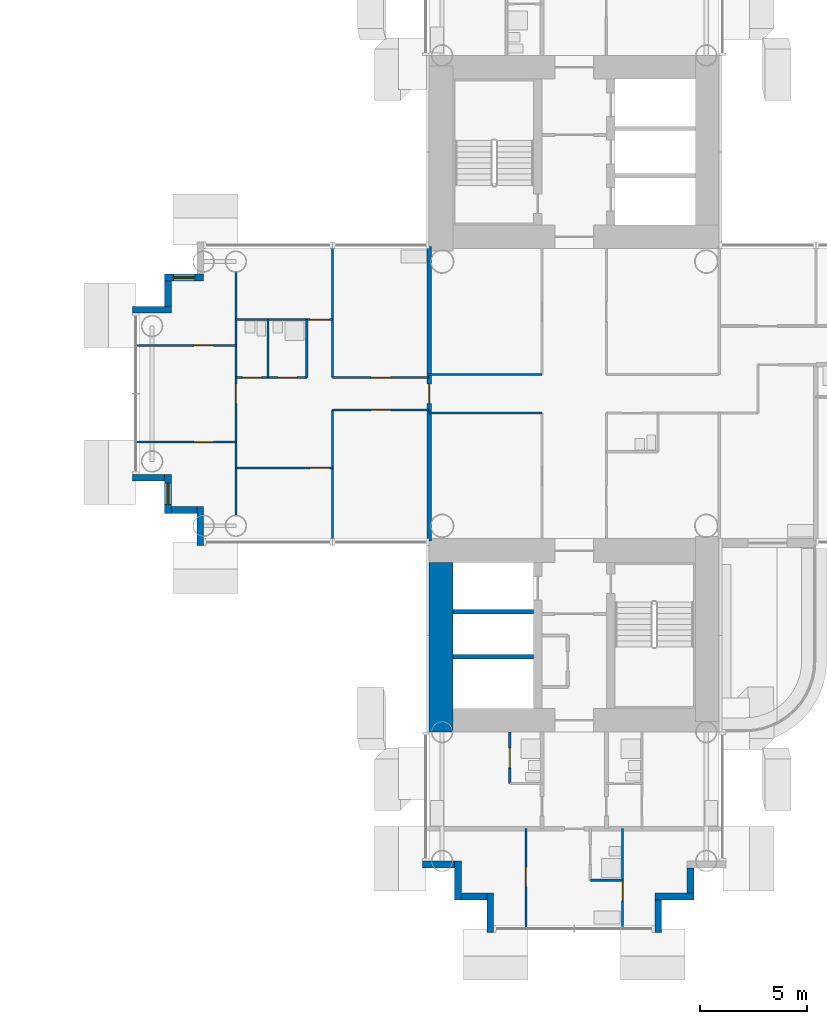
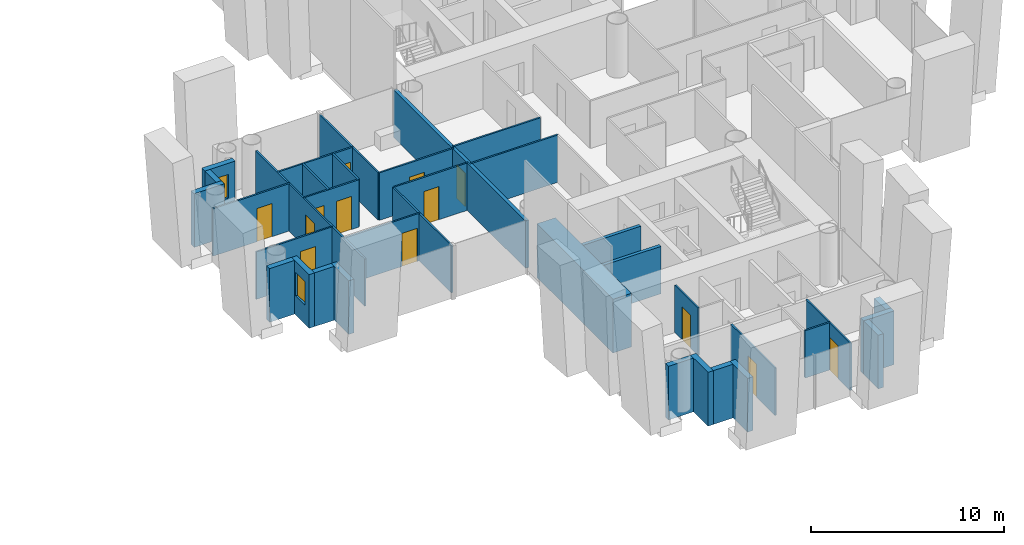
# One storey, part 14 of 25: 36 walls, 13 doors, 2 windows, 15 openings.
"""IFC4 building model written with IfcOpenShell, lengths in metres."""

from ifc_helpers import new_model, si_unit, direction, frame, frame_2d, origin, place, context, subcontext, project, spatial, rectangle, extrude, material, layer, layer_set, type_object, element, fill, save


model = new_model("IFC4")

# Units and contexts
model_context = context("Model", 3, precision=1e-05, world=origin(), true_north=direction((0.0, 1.0)))
body_context = subcontext(model_context, "Body", "Model", "MODEL_VIEW")
ifc_project = project(units=[si_unit("LENGTHUNIT", "METRE"), si_unit("AREAUNIT", "SQUARE_METRE"), si_unit("VOLUMEUNIT", "CUBIC_METRE"), si_unit("PLANEANGLEUNIT", "RADIAN"), si_unit("MASSUNIT", "GRAM", prefix="KILO")], contexts=[model_context])

# Site, building, storey
site_placement = place(None, origin())
site = spatial("IfcSite", under=ifc_project, at=site_placement, CompositionType="ELEMENT")
building_placement = place(site_placement, origin())
building = spatial("IfcBuilding", under=site, at=building_placement, Name="Ipe Terrace Towers", CompositionType="ELEMENT")
storey_placement = place(building_placement, frame((0.0, 0.0, 58.5)))
storey = spatial("IfcBuildingStorey", under=building, at=storey_placement, Name="L15", CompositionType="ELEMENT", Elevation=58.5)

# Walls
ifc_material_1 = material(Name="Concrete C40/50 with buff precast cladding", Category="concrete")
ifc_layer_1 = layer(ifc_material_1, 0.320068359375)
ifc_layer_set_1 = layer_set([ifc_layer_1], Name="BUFF CLADDING WALL 320")
wall_type_1 = type_object("IfcWallType", Name="BUFF CLADDING WALL 320", PredefinedType="STANDARD", material=ifc_layer_set_1)
wall_1_placement = place(storey_placement, frame((39.909912109375, -25.070068359375, -0.300048828125), z_axis=(0.0, 0.0, 1.0), x_axis=(0.0, 1.0, 0.0)))
element("IfcWall", 1, at=wall_1_placement, inside=storey, type_object=wall_type_1, Name="T2-W-L15-00a wall", PredefinedType="STANDARD", context=body_context, shape_type="SweptSolid", body=[
    extrude(rectangle(XDim=1.5, YDim=0.320068359375, at=frame_2d((0.75, 0.0))), origin(), (0.0, 0.0, 1.0), 3.400146484375),
])
wall_2_placement = place(storey_placement, frame((39.75, -23.409912109375, -0.300048828125), z_axis=(0.0, 0.0, 1.0), x_axis=(1.0, 0.0, 0.0)))
element("IfcWall", 2, at=wall_2_placement, inside=storey, type_object=wall_type_1, Name="T2-W-L15-01a wall", PredefinedType="STANDARD", context=body_context, shape_type="SweptSolid", body=[
    extrude(rectangle(XDim=1.820068359375, YDim=0.320068359375, at=frame_2d((0.91015625, 0.0))), origin(), (0.0, 0.0, 1.0), 3.400146484375),
])
wall_3_placement = place(storey_placement, frame((41.409912109375, -23.25, -0.300048828125), z_axis=(0.0, 0.0, 1.0), x_axis=(0.0, 1.0, 0.0)))
element("IfcWall", 3, at=wall_3_placement, inside=storey, type_object=wall_type_1, Name="T2-W-L15-02a wall", PredefinedType="STANDARD", context=body_context, shape_type="SweptSolid", body=[
    extrude(rectangle(XDim=1.179931640625, YDim=0.320068359375, at=frame_2d((0.58984375, 0.0))), origin(), (0.0, 0.0, 1.0), 3.400146484375),
])

# Wall, opening, window
wall_4_placement = place(storey_placement, frame((18.75, 5.409912109375, -0.300048828125), z_axis=(0.0, 0.0, 1.0), x_axis=(-1.0, 0.0, 0.0)))
wall_4 = element("IfcWall", 4, at=wall_4_placement, inside=storey, type_object=wall_type_1, Name="T2-W-L15-35a wall", PredefinedType="STANDARD", context=body_context, shape_type="SweptSolid", body=[
    extrude(rectangle(XDim=1.820068359375, YDim=0.320068359375, at=frame_2d((0.91015625, 0.0))), origin(), (0.0, 0.0, 1.0), 3.400146484375),
])
opening_1_placement = place(wall_4_placement, frame((0.409912109375, 0.0, 1.199951171875)))
opening_1 = element("IfcOpeningElement", 5, at=opening_1_placement, cuts=wall_4, Name="Opening T2-W-05-L15-02", PredefinedType="OPENING", context=body_context, shape_type="SweptSolid", body=[
    extrude(rectangle(XDim=1.0, YDim=1.5, at=frame_2d((0.5, 0.75))), frame((0.0, 0.169921875, 0.0), z_axis=(0.0, -1.0, 0.0), x_axis=(1.0, 0.0, 0.0)), (0.0, 0.0, 1.0), 0.340087890625),
])
ifc_material_2 = material(Name="Glass, clear laminated", Category="glass")
window_type = type_object("IfcWindowType", Name="DWELLING WINDOW 1000 x 1500", PartitioningType="SINGLE_PANEL", PredefinedType="WINDOW", material=ifc_material_2)
window_1_placement = place(opening_1_placement, origin())
window_1 = element("IfcWindow", 6, at=window_1_placement, inside=storey, type_object=window_type, Name="W-05 window", OverallHeight=1.5, OverallWidth=1.0, PartitioningType="SINGLE_PANEL", PredefinedType="WINDOW", context=body_context, shape_type="SweptSolid", body=[
    extrude(rectangle(XDim=1.0, YDim=1.5, at=frame_2d((0.5, 0.75))), frame((0.0, 0.030029296875, 0.0), z_axis=(0.0, -1.0, 0.0), x_axis=(1.0, 0.0, 0.0)), (0.0, 0.0, 1.0), 0.06005859375),
])
fill(opening_1, window_1)

# Walls
wall_5_placement = place(storey_placement, frame((17.090087890625, 5.25, -0.300048828125), z_axis=(0.0, 0.0, 1.0), x_axis=(0.0, -1.0, 0.0)))
element("IfcWall", 7, at=wall_5_placement, inside=storey, type_object=wall_type_1, Name="T2-W-L15-36a wall", PredefinedType="STANDARD", context=body_context, shape_type="SweptSolid", body=[
    extrude(rectangle(XDim=1.179931640625, YDim=0.320068359375, at=frame_2d((0.58984375, 0.0))), origin(), (0.0, 0.0, 1.0), 3.400146484375),
])
wall_6_placement = place(storey_placement, frame((17.25, 3.909912109375, -0.300048828125), z_axis=(0.0, 0.0, 1.0), x_axis=(-1.0, 0.0, 0.0)))
element("IfcWall", 8, at=wall_6_placement, inside=storey, type_object=wall_type_1, Name="T2-W-L15-37a wall", PredefinedType="STANDARD", context=body_context, shape_type="SweptSolid", body=[
    extrude(rectangle(XDim=1.820068359375, YDim=0.320068359375, at=frame_2d((0.91015625, 0.0))), origin(), (0.0, 0.0, 1.0), 3.400146484375),
])
wall_7_placement = place(storey_placement, frame((15.429931640625, -3.909912109375, -0.300048828125), z_axis=(0.0, 0.0, 1.0), x_axis=(1.0, 0.0, 0.0)))
element("IfcWall", 9, at=wall_7_placement, inside=storey, type_object=wall_type_1, Name="T2-W-L15-39a wall", PredefinedType="STANDARD", context=body_context, shape_type="SweptSolid", body=[
    extrude(rectangle(XDim=1.5, YDim=0.320068359375, at=frame_2d((0.75, 0.0))), origin(), (0.0, 0.0, 1.0), 3.400146484375),
])

# Wall, opening, window
wall_8_placement = place(storey_placement, frame((17.090087890625, -3.75, -0.300048828125), z_axis=(0.0, 0.0, 1.0), x_axis=(0.0, -1.0, 0.0)))
wall_8 = element("IfcWall", 10, at=wall_8_placement, inside=storey, type_object=wall_type_1, Name="T2-W-L15-40a wall", PredefinedType="STANDARD", context=body_context, shape_type="SweptSolid", body=[
    extrude(rectangle(XDim=1.820068359375, YDim=0.320068359375, at=frame_2d((0.91015625, 0.0))), origin(), (0.0, 0.0, 1.0), 3.400146484375),
])
opening_2_placement = place(wall_8_placement, frame((0.409912109375, 0.0, 1.199951171875)))
opening_2 = element("IfcOpeningElement", 11, at=opening_2_placement, cuts=wall_8, Name="Opening T2-W-05-L15-01", PredefinedType="OPENING", context=body_context, shape_type="SweptSolid", body=[
    extrude(rectangle(XDim=1.0, YDim=1.5, at=frame_2d((0.5, 0.75))), frame((0.0, 0.169921875, 0.0), z_axis=(0.0, -1.0, 0.0), x_axis=(1.0, 0.0, 0.0)), (0.0, 0.0, 1.0), 0.340087890625),
])
window_2_placement = place(opening_2_placement, origin())
window_2 = element("IfcWindow", 12, at=window_2_placement, inside=storey, type_object=window_type, Name="W-05 window", OverallHeight=1.5, OverallWidth=1.0, PartitioningType="SINGLE_PANEL", PredefinedType="WINDOW", context=body_context, shape_type="SweptSolid", body=[
    extrude(rectangle(XDim=1.0, YDim=1.5, at=frame_2d((0.5, 0.75))), frame((0.0, 0.030029296875, 0.0), z_axis=(0.0, -1.0, 0.0), x_axis=(1.0, 0.0, 0.0)), (0.0, 0.0, 1.0), 0.06005859375),
])
fill(opening_2, window_2)

# Walls
wall_9_placement = place(storey_placement, frame((17.25, -5.409912109375, -0.300048828125), z_axis=(0.0, 0.0, 1.0), x_axis=(1.0, 0.0, 0.0)))
element("IfcWall", 13, at=wall_9_placement, inside=storey, type_object=wall_type_1, Name="T2-W-L15-41a wall", PredefinedType="STANDARD", context=body_context, shape_type="SweptSolid", body=[
    extrude(rectangle(XDim=1.179931640625, YDim=0.320068359375, at=frame_2d((0.58984375, 0.0))), origin(), (0.0, 0.0, 1.0), 3.400146484375),
])
wall_10_placement = place(storey_placement, frame((18.590087890625, -5.25, -0.300048828125), z_axis=(0.0, 0.0, 1.0), x_axis=(0.0, -1.0, 0.0)))
element("IfcWall", 14, at=wall_10_placement, inside=storey, type_object=wall_type_1, Name="T2-W-L15-42a wall", PredefinedType="STANDARD", context=body_context, shape_type="SweptSolid", body=[
    extrude(rectangle(XDim=1.820068359375, YDim=0.320068359375, at=frame_2d((0.91015625, 0.0))), origin(), (0.0, 0.0, 1.0), 3.400146484375),
])
wall_11_placement = place(storey_placement, frame((28.929931640625, -21.909912109375, -0.300048828125), z_axis=(0.0, 0.0, 1.0), x_axis=(1.0, 0.0, 0.0)))
element("IfcWall", 15, at=wall_11_placement, inside=storey, type_object=wall_type_1, Name="T2-W-L15-47a wall", PredefinedType="STANDARD", context=body_context, shape_type="SweptSolid", body=[
    extrude(rectangle(XDim=1.5, YDim=0.320068359375, at=frame_2d((0.75, 0.0))), origin(), (0.0, 0.0, 1.0), 3.400146484375),
])
wall_12_placement = place(storey_placement, frame((30.590087890625, -21.75, -0.300048828125), z_axis=(0.0, 0.0, 1.0), x_axis=(0.0, -1.0, 0.0)))
element("IfcWall", 16, at=wall_12_placement, inside=storey, type_object=wall_type_1, Name="T2-W-L15-48a wall", PredefinedType="STANDARD", context=body_context, shape_type="SweptSolid", body=[
    extrude(rectangle(XDim=1.820068359375, YDim=0.320068359375, at=frame_2d((0.91015625, 0.0))), origin(), (0.0, 0.0, 1.0), 3.400146484375),
])
wall_13_placement = place(storey_placement, frame((30.75, -23.409912109375, -0.300048828125), z_axis=(0.0, 0.0, 1.0), x_axis=(1.0, 0.0, 0.0)))
element("IfcWall", 17, at=wall_13_placement, inside=storey, type_object=wall_type_1, Name="T2-W-L15-49a wall", PredefinedType="STANDARD", context=body_context, shape_type="SweptSolid", body=[
    extrude(rectangle(XDim=1.179931640625, YDim=0.320068359375, at=frame_2d((0.58984375, 0.0))), origin(), (0.0, 0.0, 1.0), 3.400146484375),
])
wall_14_placement = place(storey_placement, frame((32.090087890625, -23.25, -0.300048828125), z_axis=(0.0, 0.0, 1.0), x_axis=(0.0, -1.0, 0.0)))
element("IfcWall", 18, at=wall_14_placement, inside=storey, type_object=wall_type_1, Name="T2-W-L15-50a wall", PredefinedType="STANDARD", context=body_context, shape_type="SweptSolid", body=[
    extrude(rectangle(XDim=1.820068359375, YDim=0.320068359375, at=frame_2d((0.91015625, 0.0))), origin(), (0.0, 0.0, 1.0), 3.400146484375),
])
ifc_material_3 = material(Name="Gypsum board partition", Category="plasterboard")
ifc_layer_2 = layer(ifc_material_3, 0.10009765625)
ifc_layer_set_2 = layer_set([ifc_layer_2], Name="Gypsum board partition 100 mm")
wall_type_2 = type_object("IfcWallType", Name="Gypsum board partition 100 mm", PredefinedType="PARTITIONING", material=ifc_layer_set_2)
wall_15_placement = place(storey_placement, frame((38.25, -22.64990234375, 0.0), z_axis=(0.0, 0.0, 1.0), x_axis=(-1.0, 0.0, 0.0)))
element("IfcWall", 19, at=wall_15_placement, inside=storey, type_object=wall_type_2, Name="Gypsum board partition T2 L15 W01", PredefinedType="PARTITIONING", context=body_context, shape_type="SweptSolid", body=[
    extrude(rectangle(XDim=1.5, YDim=0.10009765625, at=frame_2d((0.75, 0.0))), origin(), (0.0, 0.0, 1.0), 3.0),
])

# Wall, opening, door
wall_16_placement = place(storey_placement, frame((24.75, -3.449951171875, 0.0), z_axis=(0.0, 0.0, 1.0), x_axis=(-1.0, 0.0, 0.0)))
wall_16 = element("IfcWall", 20, at=wall_16_placement, inside=storey, type_object=wall_type_2, Name="Gypsum board partition T2 L15 W05", PredefinedType="PARTITIONING", context=body_context, shape_type="SweptSolid", body=[
    extrude(rectangle(XDim=4.5, YDim=0.10009765625, at=frame_2d((2.25, 0.0))), origin(), (0.0, 0.0, 1.0), 3.0),
])
opening_3_placement = place(wall_16_placement, frame((0.14990234375, 0.0, 0.0)))
opening_3 = element("IfcOpeningElement", 21, at=opening_3_placement, cuts=wall_16, Name="Opening T2-Z1D-11", PredefinedType="OPENING", context=body_context, shape_type="SweptSolid", body=[
    extrude(rectangle(XDim=0.89990234375, YDim=2.10009765625, at=frame_2d((0.449951171875, 1.050048828125))), frame((0.0, 0.06005859375, 0.0), z_axis=(0.0, -1.0, 0.0), x_axis=(1.0, 0.0, 0.0)), (0.0, 0.0, 1.0), 0.1201171875),
])
ifc_material_4 = material(Name="Timber door leaf", Category="wood")
door_type_1 = type_object("IfcDoorType", Name="Bedroom door 900 x 2100", OperationType="NOTDEFINED", PredefinedType="DOOR", material=ifc_material_4)
door_1_placement = place(opening_3_placement, origin())
door_1 = element("IfcDoor", 22, at=door_1_placement, inside=storey, type_object=door_type_1, Name="Bedroom door T2-Z1D-11", OperationType="SINGLE_SWING_RIGHT", OverallHeight=2.10009765625, OverallWidth=0.89990234375, PredefinedType="DOOR", context=body_context, shape_type="SweptSolid", body=[
    extrude(rectangle(XDim=0.89990234375, YDim=2.10009765625, at=frame_2d((0.449951171875, 1.050048828125))), frame((0.0, 0.02490234375, 0.0), z_axis=(0.0, -1.0, 0.0), x_axis=(1.0, 0.0, 0.0)), (0.0, 0.0, 1.0), 0.050048828125),
])
fill(opening_3, door_1)

wall_17_placement = place(storey_placement, frame((20.25, -2.25, 0.0), z_axis=(0.0, 0.0, 1.0), x_axis=(-1.0, 0.0, 0.0)))
wall_17 = element("IfcWall", 23, at=wall_17_placement, inside=storey, type_object=wall_type_2, Name="Gypsum board partition T2 L15 W07", PredefinedType="PARTITIONING", context=body_context, shape_type="SweptSolid", body=[
    extrude(rectangle(XDim=4.60009765625, YDim=0.10009765625, at=frame_2d((2.300048828125, 0.0))), origin(), (0.0, 0.0, 1.0), 3.0),
])
opening_4_placement = place(wall_17_placement, frame((1.050048828125, 0.0, 0.0)))
opening_4 = element("IfcOpeningElement", 24, at=opening_4_placement, cuts=wall_17, Name="Opening T2-Z1D-14", PredefinedType="OPENING", context=body_context, shape_type="SweptSolid", body=[
    extrude(rectangle(XDim=0.89990234375, YDim=2.10009765625, at=frame_2d((0.449951171875, 1.050048828125))), frame((0.0, 0.06005859375, 0.0), z_axis=(0.0, -1.0, 0.0), x_axis=(1.0, 0.0, 0.0)), (0.0, 0.0, 1.0), 0.1201171875),
])
door_2_placement = place(opening_4_placement, origin())
door_2 = element("IfcDoor", 25, at=door_2_placement, inside=storey, type_object=door_type_1, Name="Bedroom door T2-Z1D-14", OperationType="SINGLE_SWING_RIGHT", OverallHeight=2.10009765625, OverallWidth=0.89990234375, PredefinedType="DOOR", context=body_context, shape_type="SweptSolid", body=[
    extrude(rectangle(XDim=0.89990234375, YDim=2.10009765625, at=frame_2d((0.449951171875, 1.050048828125))), frame((0.0, 0.02490234375, 0.0), z_axis=(0.0, -1.0, 0.0), x_axis=(1.0, 0.0, 0.0)), (0.0, 0.0, 1.0), 0.050048828125),
])
fill(opening_4, door_2)

# Wall
wall_18_placement = place(storey_placement, frame((34.5, -0.89990234375, 0.0), z_axis=(0.0, 0.0, 1.0), x_axis=(-1.0, 0.0, 0.0)))
element("IfcWall", 26, at=wall_18_placement, inside=storey, type_object=wall_type_2, Name="Gypsum board partition T2 L15 W09", PredefinedType="PARTITIONING", context=body_context, shape_type="SweptSolid", body=[
    extrude(rectangle(XDim=5.25, YDim=0.10009765625, at=frame_2d((2.625, 0.0))), origin(), (0.0, 0.0, 1.0), 3.0),
])

# Wall, opening, door
wall_19_placement = place(storey_placement, frame((29.25, -0.75, 0.0), z_axis=(0.0, 0.0, 1.0), x_axis=(-1.0, 0.0, 0.0)))
wall_19 = element("IfcWall", 27, at=wall_19_placement, inside=storey, type_object=wall_type_2, Name="Gypsum board partition T2 L15 W10", PredefinedType="PARTITIONING", context=body_context, shape_type="SweptSolid", body=[
    extrude(rectangle(XDim=4.5, YDim=0.10009765625, at=frame_2d((2.25, 0.0))), origin(), (0.0, 0.0, 1.0), 3.0),
])
opening_5_placement = place(wall_19_placement, frame((1.800048828125, 0.0, 0.0)))
opening_5 = element("IfcOpeningElement", 28, at=opening_5_placement, cuts=wall_19, Name="Opening T2-Z1D-06", PredefinedType="OPENING", context=body_context, shape_type="SweptSolid", body=[
    extrude(rectangle(XDim=0.89990234375, YDim=2.10009765625, at=frame_2d((0.449951171875, 1.050048828125))), frame((0.0, 0.06005859375, 0.0), z_axis=(0.0, -1.0, 0.0), x_axis=(1.0, 0.0, 0.0)), (0.0, 0.0, 1.0), 0.1201171875),
])
ifc_material_5 = material(Name="Timber door leaf", Category="wood")
door_type_2 = type_object("IfcDoorType", Name="Lounge door 900 x 2100", OperationType="NOTDEFINED", PredefinedType="DOOR", material=ifc_material_5)
door_3_placement = place(opening_5_placement, origin())
door_3 = element("IfcDoor", 29, at=door_3_placement, inside=storey, type_object=door_type_2, Name="Lounge door T2-Z1D-06", OperationType="SINGLE_SWING_LEFT", OverallHeight=2.10009765625, OverallWidth=0.89990234375, PredefinedType="DOOR", context=body_context, shape_type="SweptSolid", body=[
    extrude(rectangle(XDim=0.89990234375, YDim=2.10009765625, at=frame_2d((0.449951171875, 1.050048828125))), frame((0.0, 0.02490234375, 0.0), z_axis=(0.0, -1.0, 0.0), x_axis=(1.0, 0.0, 0.0)), (0.0, 0.0, 1.0), 0.050048828125),
])
fill(opening_5, door_3)

wall_20_placement = place(storey_placement, frame((29.25, 0.75, 0.0), z_axis=(0.0, 0.0, 1.0), x_axis=(-1.0, 0.0, 0.0)))
wall_20 = element("IfcWall", 30, at=wall_20_placement, inside=storey, type_object=wall_type_2, Name="Gypsum board partition T2 L15 W12", PredefinedType="PARTITIONING", context=body_context, shape_type="SweptSolid", body=[
    extrude(rectangle(XDim=4.5, YDim=0.10009765625, at=frame_2d((2.25, 0.0))), origin(), (0.0, 0.0, 1.0), 3.0),
])
opening_6_placement = place(wall_20_placement, frame((1.800048828125, 0.0, 0.0)))
opening_6 = element("IfcOpeningElement", 31, at=opening_6_placement, cuts=wall_20, Name="Opening T2-Z1D-07", PredefinedType="OPENING", context=body_context, shape_type="SweptSolid", body=[
    extrude(rectangle(XDim=0.89990234375, YDim=2.10009765625, at=frame_2d((0.449951171875, 1.050048828125))), frame((0.0, 0.06005859375, 0.0), z_axis=(0.0, -1.0, 0.0), x_axis=(1.0, 0.0, 0.0)), (0.0, 0.0, 1.0), 0.1201171875),
])
door_4_placement = place(opening_6_placement, origin())
door_4 = element("IfcDoor", 32, at=door_4_placement, inside=storey, type_object=door_type_2, Name="Lounge door T2-Z1D-07", OperationType="SINGLE_SWING_RIGHT", OverallHeight=2.10009765625, OverallWidth=0.89990234375, PredefinedType="DOOR", context=body_context, shape_type="SweptSolid", body=[
    extrude(rectangle(XDim=0.89990234375, YDim=2.10009765625, at=frame_2d((0.449951171875, 1.050048828125))), frame((0.0, 0.02490234375, 0.0), z_axis=(0.0, -1.0, 0.0), x_axis=(1.0, 0.0, 0.0)), (0.0, 0.0, 1.0), 0.050048828125),
])
fill(opening_6, door_4)

# Wall, openings, doors
wall_21_placement = place(storey_placement, frame((23.550048828125, 0.75, 0.0), z_axis=(0.0, 0.0, 1.0), x_axis=(-1.0, 0.0, 0.0)))
wall_21 = element("IfcWall", 33, at=wall_21_placement, inside=storey, type_object=wall_type_2, Name="Gypsum board partition T2 L15 W13", PredefinedType="PARTITIONING", context=body_context, shape_type="SweptSolid", body=[
    extrude(rectangle(XDim=3.300048828125, YDim=0.10009765625, at=frame_2d((1.64990234375, 0.0))), origin(), (0.0, 0.0, 1.0), 3.0),
])
opening_7_placement = place(wall_21_placement, frame((0.449951171875, 0.0, 0.0)))
opening_7 = element("IfcOpeningElement", 34, at=opening_7_placement, cuts=wall_21, Name="Opening T2-Z1D-09", PredefinedType="OPENING", context=body_context, shape_type="SweptSolid", body=[
    extrude(rectangle(XDim=0.89990234375, YDim=2.10009765625, at=frame_2d((0.449951171875, 1.050048828125))), frame((0.0, 0.06005859375, 0.0), z_axis=(0.0, -1.0, 0.0), x_axis=(1.0, 0.0, 0.0)), (0.0, 0.0, 1.0), 0.1201171875),
])
opening_8_placement = place(wall_21_placement, frame((2.10009765625, 0.0, 0.0)))
opening_8 = element("IfcOpeningElement", 35, at=opening_8_placement, cuts=wall_21, Name="Opening T2-Z1D-10", PredefinedType="OPENING", context=body_context, shape_type="SweptSolid", body=[
    extrude(rectangle(XDim=0.89990234375, YDim=2.10009765625, at=frame_2d((0.449951171875, 1.050048828125))), frame((0.0, 0.06005859375, 0.0), z_axis=(0.0, -1.0, 0.0), x_axis=(1.0, 0.0, 0.0)), (0.0, 0.0, 1.0), 0.1201171875),
])
ifc_material_6 = material(Name="Timber door leaf", Category="wood")
door_type_3 = type_object("IfcDoorType", Name="Bathroom door 900 x 2100", OperationType="NOTDEFINED", PredefinedType="DOOR", material=ifc_material_6)
door_5_placement = place(opening_7_placement, origin())
door_5 = element("IfcDoor", 36, at=door_5_placement, inside=storey, type_object=door_type_3, Name="Bathroom door T2-Z1D-09", OperationType="SINGLE_SWING_LEFT", OverallHeight=2.10009765625, OverallWidth=0.89990234375, PredefinedType="DOOR", context=body_context, shape_type="SweptSolid", body=[
    extrude(rectangle(XDim=0.89990234375, YDim=2.10009765625, at=frame_2d((0.449951171875, 1.050048828125))), frame((0.0, 0.02490234375, 0.0), z_axis=(0.0, -1.0, 0.0), x_axis=(1.0, 0.0, 0.0)), (0.0, 0.0, 1.0), 0.050048828125),
])
fill(opening_7, door_5)
door_6_placement = place(opening_8_placement, origin())
door_6 = element("IfcDoor", 37, at=door_6_placement, inside=storey, type_object=door_type_3, Name="Bathroom door T2-Z1D-10", OperationType="SINGLE_SWING_RIGHT", OverallHeight=2.10009765625, OverallWidth=0.89990234375, PredefinedType="DOOR", context=body_context, shape_type="SweptSolid", body=[
    extrude(rectangle(XDim=0.89990234375, YDim=2.10009765625, at=frame_2d((0.449951171875, 1.050048828125))), frame((0.0, 0.02490234375, 0.0), z_axis=(0.0, -1.0, 0.0), x_axis=(1.0, 0.0, 0.0)), (0.0, 0.0, 1.0), 0.050048828125),
])
fill(opening_8, door_6)

# Wall
wall_22_placement = place(storey_placement, frame((34.5, 0.89990234375, 0.0), z_axis=(0.0, 0.0, 1.0), x_axis=(-1.0, 0.0, 0.0)))
element("IfcWall", 38, at=wall_22_placement, inside=storey, type_object=wall_type_2, Name="Gypsum board partition T2 L15 W15", PredefinedType="PARTITIONING", context=body_context, shape_type="SweptSolid", body=[
    extrude(rectangle(XDim=5.25, YDim=0.10009765625, at=frame_2d((2.625, 0.0))), origin(), (0.0, 0.0, 1.0), 3.0),
])

# Wall, opening, door
wall_23_placement = place(storey_placement, frame((20.25, 2.25, 0.0), z_axis=(0.0, 0.0, 1.0), x_axis=(-1.0, 0.0, 0.0)))
wall_23 = element("IfcWall", 39, at=wall_23_placement, inside=storey, type_object=wall_type_2, Name="Gypsum board partition T2 L15 W18", PredefinedType="PARTITIONING", context=body_context, shape_type="SweptSolid", body=[
    extrude(rectangle(XDim=4.60009765625, YDim=0.10009765625, at=frame_2d((2.300048828125, 0.0))), origin(), (0.0, 0.0, 1.0), 3.0),
])
opening_9_placement = place(wall_23_placement, frame((1.050048828125, 0.0, 0.0)))
opening_9 = element("IfcOpeningElement", 40, at=opening_9_placement, cuts=wall_23, Name="Opening T2-Z1D-15", PredefinedType="OPENING", context=body_context, shape_type="SweptSolid", body=[
    extrude(rectangle(XDim=0.89990234375, YDim=2.10009765625, at=frame_2d((0.449951171875, 1.050048828125))), frame((0.0, 0.06005859375, 0.0), z_axis=(0.0, -1.0, 0.0), x_axis=(1.0, 0.0, 0.0)), (0.0, 0.0, 1.0), 0.1201171875),
])
door_7_placement = place(opening_9_placement, origin())
door_7 = element("IfcDoor", 41, at=door_7_placement, inside=storey, type_object=door_type_1, Name="Bedroom door T2-Z1D-15", OperationType="SINGLE_SWING_LEFT", OverallHeight=2.10009765625, OverallWidth=0.89990234375, PredefinedType="DOOR", context=body_context, shape_type="SweptSolid", body=[
    extrude(rectangle(XDim=0.89990234375, YDim=2.10009765625, at=frame_2d((0.449951171875, 1.050048828125))), frame((0.0, 0.02490234375, 0.0), z_axis=(0.0, -1.0, 0.0), x_axis=(1.0, 0.0, 0.0)), (0.0, 0.0, 1.0), 0.050048828125),
])
fill(opening_9, door_7)

wall_24_placement = place(storey_placement, frame((24.75, 3.449951171875, 0.0), z_axis=(0.0, 0.0, 1.0), x_axis=(-1.0, 0.0, 0.0)))
wall_24 = element("IfcWall", 42, at=wall_24_placement, inside=storey, type_object=wall_type_2, Name="Gypsum board partition T2 L15 W20", PredefinedType="PARTITIONING", context=body_context, shape_type="SweptSolid", body=[
    extrude(rectangle(XDim=4.5, YDim=0.10009765625, at=frame_2d((2.25, 0.0))), origin(), (0.0, 0.0, 1.0), 3.0),
])
opening_10_placement = place(wall_24_placement, frame((0.14990234375, 0.0, 0.0)))
opening_10 = element("IfcOpeningElement", 43, at=opening_10_placement, cuts=wall_24, Name="Opening T2-Z1D-12", PredefinedType="OPENING", context=body_context, shape_type="SweptSolid", body=[
    extrude(rectangle(XDim=0.89990234375, YDim=2.10009765625, at=frame_2d((0.449951171875, 1.050048828125))), frame((0.0, 0.06005859375, 0.0), z_axis=(0.0, -1.0, 0.0), x_axis=(1.0, 0.0, 0.0)), (0.0, 0.0, 1.0), 0.1201171875),
])
door_8_placement = place(opening_10_placement, origin())
door_8 = element("IfcDoor", 44, at=door_8_placement, inside=storey, type_object=door_type_1, Name="Bedroom door T2-Z1D-12", OperationType="SINGLE_SWING_LEFT", OverallHeight=2.10009765625, OverallWidth=0.89990234375, PredefinedType="DOOR", context=body_context, shape_type="SweptSolid", body=[
    extrude(rectangle(XDim=0.89990234375, YDim=2.10009765625, at=frame_2d((0.449951171875, 1.050048828125))), frame((0.0, 0.02490234375, 0.0), z_axis=(0.0, -1.0, 0.0), x_axis=(1.0, 0.0, 0.0)), (0.0, 0.0, 1.0), 0.050048828125),
])
fill(opening_10, door_8)

wall_25_placement = place(storey_placement, frame((38.25, -24.85009765625, 0.0), z_axis=(0.0, 0.0, 1.0), x_axis=(0.0, 1.0, 0.0)))
wall_25 = element("IfcWall", 45, at=wall_25_placement, inside=storey, type_object=wall_type_2, Name="Gypsum board partition T2 L15 W34", PredefinedType="PARTITIONING", context=body_context, shape_type="SweptSolid", body=[
    extrude(rectangle(XDim=4.60009765625, YDim=0.10009765625, at=frame_2d((2.300048828125, 0.0))), origin(), (0.0, 0.0, 1.0), 3.0),
])
opening_11_placement = place(wall_25_placement, frame((1.25, 0.0, 0.0)))
opening_11 = element("IfcOpeningElement", 46, at=opening_11_placement, cuts=wall_25, Name="Opening T2-Z1D-37", PredefinedType="OPENING", context=body_context, shape_type="SweptSolid", body=[
    extrude(rectangle(XDim=0.89990234375, YDim=2.10009765625, at=frame_2d((0.449951171875, 1.050048828125))), frame((0.0, 0.06005859375, 0.0), z_axis=(0.0, -1.0, 0.0), x_axis=(1.0, 0.0, 0.0)), (0.0, 0.0, 1.0), 0.1201171875),
])
door_9_placement = place(opening_11_placement, origin())
door_9 = element("IfcDoor", 47, at=door_9_placement, inside=storey, type_object=door_type_2, Name="Lounge door T2-Z1D-37", OperationType="SINGLE_SWING_LEFT", OverallHeight=2.10009765625, OverallWidth=0.89990234375, PredefinedType="DOOR", context=body_context, shape_type="SweptSolid", body=[
    extrude(rectangle(XDim=0.89990234375, YDim=2.10009765625, at=frame_2d((0.449951171875, 1.050048828125))), frame((0.0, 0.02490234375, 0.0), z_axis=(0.0, -1.0, 0.0), x_axis=(1.0, 0.0, 0.0)), (0.0, 0.0, 1.0), 0.050048828125),
])
fill(opening_11, door_9)

wall_26_placement = place(storey_placement, frame((33.75, -24.85009765625, 0.0), z_axis=(0.0, 0.0, 1.0), x_axis=(0.0, 1.0, 0.0)))
wall_26 = element("IfcWall", 48, at=wall_26_placement, inside=storey, type_object=wall_type_2, Name="Gypsum board partition T2 L15 W46", PredefinedType="PARTITIONING", context=body_context, shape_type="SweptSolid", body=[
    extrude(rectangle(XDim=4.60009765625, YDim=0.10009765625, at=frame_2d((2.300048828125, 0.0))), origin(), (0.0, 0.0, 1.0), 3.0),
])
opening_12_placement = place(wall_26_placement, frame((1.89990234375, 0.0, 0.0)))
opening_12 = element("IfcOpeningElement", 49, at=opening_12_placement, cuts=wall_26, Name="Opening T2-Z1D-38", PredefinedType="OPENING", context=body_context, shape_type="SweptSolid", body=[
    extrude(rectangle(XDim=0.89990234375, YDim=2.10009765625, at=frame_2d((0.449951171875, 1.050048828125))), frame((0.0, 0.06005859375, 0.0), z_axis=(0.0, -1.0, 0.0), x_axis=(1.0, 0.0, 0.0)), (0.0, 0.0, 1.0), 0.1201171875),
])
door_10_placement = place(opening_12_placement, origin())
door_10 = element("IfcDoor", 50, at=door_10_placement, inside=storey, type_object=door_type_2, Name="Lounge door T2-Z1D-38", OperationType="SINGLE_SWING_LEFT", OverallHeight=2.10009765625, OverallWidth=0.89990234375, PredefinedType="DOOR", context=body_context, shape_type="SweptSolid", body=[
    extrude(rectangle(XDim=0.89990234375, YDim=2.10009765625, at=frame_2d((0.449951171875, 1.050048828125))), frame((0.0, 0.02490234375, 0.0), z_axis=(0.0, -1.0, 0.0), x_axis=(1.0, 0.0, 0.0)), (0.0, 0.0, 1.0), 0.050048828125),
])
fill(opening_12, door_10)

wall_27_placement = place(storey_placement, frame((33.0, -18.14990234375, 0.0), z_axis=(0.0, 0.0, 1.0), x_axis=(0.0, 1.0, 0.0)))
wall_27 = element("IfcWall", 51, at=wall_27_placement, inside=storey, type_object=wall_type_2, Name="Gypsum board partition T2 L15 W48", PredefinedType="PARTITIONING", context=body_context, shape_type="SweptSolid", body=[
    extrude(rectangle(XDim=2.39990234375, YDim=0.10009765625, at=frame_2d((1.199951171875, 0.0))), origin(), (0.0, 0.0, 1.0), 3.0),
])
opening_13_placement = place(wall_27_placement, frame((0.75, 0.0, 0.0)))
opening_13 = element("IfcOpeningElement", 52, at=opening_13_placement, cuts=wall_27, Name="Opening T2-Z1D-34", PredefinedType="OPENING", context=body_context, shape_type="SweptSolid", body=[
    extrude(rectangle(XDim=0.89990234375, YDim=2.10009765625, at=frame_2d((0.449951171875, 1.050048828125))), frame((0.0, 0.06005859375, 0.0), z_axis=(0.0, -1.0, 0.0), x_axis=(1.0, 0.0, 0.0)), (0.0, 0.0, 1.0), 0.1201171875),
])
door_11_placement = place(opening_13_placement, origin())
door_11 = element("IfcDoor", 53, at=door_11_placement, inside=storey, type_object=door_type_3, Name="Bathroom door T2-Z1D-34", OperationType="SINGLE_SWING_RIGHT", OverallHeight=2.10009765625, OverallWidth=0.89990234375, PredefinedType="DOOR", context=body_context, shape_type="SweptSolid", body=[
    extrude(rectangle(XDim=0.89990234375, YDim=2.10009765625, at=frame_2d((0.449951171875, 1.050048828125))), frame((0.0, 0.02490234375, 0.0), z_axis=(0.0, -1.0, 0.0), x_axis=(1.0, 0.0, 0.0)), (0.0, 0.0, 1.0), 0.050048828125),
])
fill(opening_13, door_11)

# Walls
for number, where, z_axis, x_axis, name in (
    (54, (24.75, -6.85009765625, 0.0), (0.0, 0.0, 1.0), (0.0, 1.0, 0.0), "Gypsum board partition T2 L15 W51"),
    (55, (24.75, 0.75, 0.0), (0.0, 0.0, 1.0), (0.0, 1.0, 0.0), "Gypsum board partition T2 L15 W52"),
):
    element("IfcWall", number, at=place(storey_placement, frame(where, z_axis=z_axis, x_axis=x_axis)), inside=storey, type_object=wall_type_2, Name=name, PredefinedType="PARTITIONING", context=body_context, shape_type="SweptSolid", body=[
        extrude(rectangle(XDim=6.10009765625, YDim=0.10009765625, at=frame_2d((3.050048828125, 0.0))), origin(), (0.0, 0.0, 1.0), 3.0),
    ])
for number, where, z_axis, x_axis, name in (
    (56, (23.550048828125, 0.75, 0.0), (0.0, 0.0, 1.0), (0.0, 1.0, 0.0), "Gypsum board partition T2 L15 W53"),
    (57, (21.75, 0.75, 0.0), (0.0, 0.0, 1.0), (0.0, 1.0, 0.0), "Gypsum board partition T2 L15 W54"),
):
    element("IfcWall", number, at=place(storey_placement, frame(where, z_axis=z_axis, x_axis=x_axis)), inside=storey, type_object=wall_type_2, Name=name, PredefinedType="PARTITIONING", context=body_context, shape_type="SweptSolid", body=[
        extrude(rectangle(XDim=2.699951171875, YDim=0.10009765625, at=frame_2d((1.35009765625, 0.0))), origin(), (0.0, 0.0, 1.0), 3.0),
    ])

# Wall, opening, door
wall_28_placement = place(storey_placement, frame((20.25, -5.64990234375, 0.0), z_axis=(0.0, 0.0, 1.0), x_axis=(0.0, 1.0, 0.0)))
wall_28 = element("IfcWall", 58, at=wall_28_placement, inside=storey, type_object=wall_type_2, Name="Gypsum board partition T2 L15 W55", PredefinedType="PARTITIONING", context=body_context, shape_type="SweptSolid", body=[
    extrude(rectangle(XDim=11.2998046875, YDim=0.10009765625, at=frame_2d((5.64990234375, 0.0))), origin(), (0.0, 0.0, 1.0), 3.0),
])
opening_14_placement = place(wall_28_placement, frame((5.199951171875, 0.0, 0.0)))
opening_14 = element("IfcOpeningElement", 59, at=opening_14_placement, cuts=wall_28, Name="Opening T2-Z1D-13", PredefinedType="OPENING", context=body_context, shape_type="SweptSolid", body=[
    extrude(rectangle(XDim=0.89990234375, YDim=2.10009765625, at=frame_2d((0.449951171875, 1.050048828125))), frame((0.0, 0.06005859375, 0.0), z_axis=(0.0, -1.0, 0.0), x_axis=(1.0, 0.0, 0.0)), (0.0, 0.0, 1.0), 0.1201171875),
])
door_12_placement = place(opening_14_placement, origin())
door_12 = element("IfcDoor", 60, at=door_12_placement, inside=storey, type_object=door_type_2, Name="Lounge door T2-Z1D-13", OperationType="SINGLE_SWING_LEFT", OverallHeight=2.10009765625, OverallWidth=0.89990234375, PredefinedType="DOOR", context=body_context, shape_type="SweptSolid", body=[
    extrude(rectangle(XDim=0.89990234375, YDim=2.10009765625, at=frame_2d((0.449951171875, 1.050048828125))), frame((0.0, 0.02490234375, 0.0), z_axis=(0.0, -1.0, 0.0), x_axis=(1.0, 0.0, 0.0)), (0.0, 0.0, 1.0), 0.050048828125),
])
fill(opening_14, door_12)

# Walls
ifc_material_7 = material(Name="Gypsum board party wall", Category="plasterboard")
ifc_layer_3 = layer(ifc_material_7, 0.199951171875)
ifc_layer_set_3 = layer_set([ifc_layer_3], Name="Gypsum board party wall 200 mm")
wall_type_3 = type_object("IfcWallType", Name="Gypsum board party wall 200 mm", PredefinedType="SOLIDWALL", material=ifc_layer_set_3)
for number, where, z_axis, x_axis, name in (
    (61, (30.35009765625, -10.14990234375, 0.0), (0.0, 0.0, 1.0), (1.0, 0.0, 0.0), "Gypsum board party wall T2 L15 t2c2-shaft-div1"),
    (62, (30.35009765625, -12.25, 0.0), (0.0, 0.0, 1.0), (1.0, 0.0, 0.0), "Gypsum board party wall T2 L15 t2c2-shaft-div2"),
):
    element("IfcWall", number, at=place(storey_placement, frame(where, z_axis=z_axis, x_axis=x_axis)), inside=storey, type_object=wall_type_3, Name=name, PredefinedType="SOLIDWALL", context=body_context, shape_type="SweptSolid", body=[
        extrude(rectangle(XDim=3.75, YDim=0.199951171875, at=frame_2d((1.875, 0.0))), origin(), (0.0, 0.0, 1.0), 3.0),
    ])

# Wall, opening, door
wall_29_placement = place(storey_placement, frame((29.25, -6.85009765625, 0.0), z_axis=(0.0, 0.0, 1.0), x_axis=(0.0, 1.0, 0.0)))
wall_29 = element("IfcWall", 63, at=wall_29_placement, inside=storey, type_object=wall_type_3, Name="Gypsum board party wall T2 L15 W50", PredefinedType="SOLIDWALL", context=body_context, shape_type="SweptSolid", body=[
    extrude(rectangle(XDim=13.7001953125, YDim=0.199951171875, at=frame_2d((6.85009765625, 0.0))), origin(), (0.0, 0.0, 1.0), 3.0),
])
opening_15_placement = place(wall_29_placement, frame((6.39990234375, 0.0, 0.0)))
opening_15 = element("IfcOpeningElement", 64, at=opening_15_placement, cuts=wall_29, Name="Opening T2-Z1D-08", PredefinedType="OPENING", context=body_context, shape_type="SweptSolid", body=[
    extrude(rectangle(XDim=0.89990234375, YDim=2.10009765625, at=frame_2d((0.449951171875, 1.050048828125))), frame((0.0, 0.10986328125, 0.0), z_axis=(0.0, -1.0, 0.0), x_axis=(1.0, 0.0, 0.0)), (0.0, 0.0, 1.0), 0.219970703125),
])
ifc_material_8 = material(Name="Fire-rated timber door leaf", Category="wood")
door_type_4 = type_object("IfcDoorType", Name="Flat entrance door 900 x 2100 FD30S", OperationType="NOTDEFINED", PredefinedType="DOOR", material=ifc_material_8)
door_13_placement = place(opening_15_placement, origin())
door_13 = element("IfcDoor", 65, at=door_13_placement, inside=storey, type_object=door_type_4, Name="Flat entrance door T2-Z1D-08", OperationType="SINGLE_SWING_LEFT", OverallHeight=2.10009765625, OverallWidth=0.89990234375, PredefinedType="DOOR", context=body_context, shape_type="SweptSolid", body=[
    extrude(rectangle(XDim=0.89990234375, YDim=2.10009765625, at=frame_2d((0.449951171875, 1.050048828125))), frame((0.0, 0.02490234375, 0.0), z_axis=(0.0, -1.0, 0.0), x_axis=(1.0, 0.0, 0.0)), (0.0, 0.0, 1.0), 0.050048828125),
])
fill(opening_15, door_13)

# Wall
ifc_material_9 = material(Name="Concrete C60/75", Category="concrete")
ifc_layer_4 = layer(ifc_material_9, 1.10009765625)
ifc_layer_set_4 = layer_set([ifc_layer_4], Name="RW1100 CORE WALL 1100 C60-75")
wall_type_4 = type_object("IfcWallType", Name="RW1100 CORE WALL 1100 C60-75", PredefinedType="SHEAR", material=ifc_layer_set_4)
wall_30_placement = place(storey_placement, frame((29.800048828125, -7.85009765625, 0.0), z_axis=(0.0, 0.0, 1.0), x_axis=(0.0, -1.0, 0.0)))
element("IfcWall", 66, at=wall_30_placement, inside=storey, type_object=wall_type_4, Name="Core wall T2-C2-Z1-W04", PredefinedType="SHEAR", context=body_context, shape_type="SweptSolid", body=[
    extrude(rectangle(XDim=7.89990234375, YDim=1.10009765625, at=frame_2d((3.949951171875, 0.0))), origin(), (0.0, 0.0, 1.0), 3.39990234375),
])

save(model, "model.ifc")
